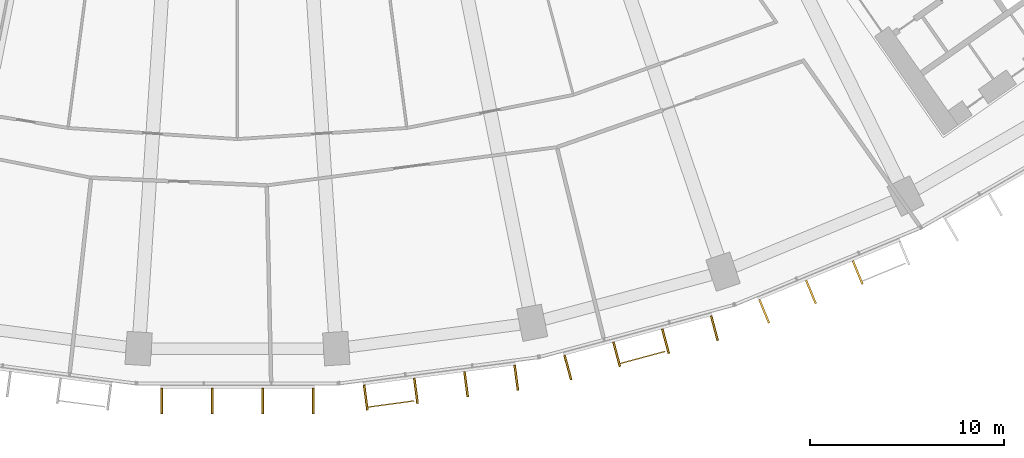
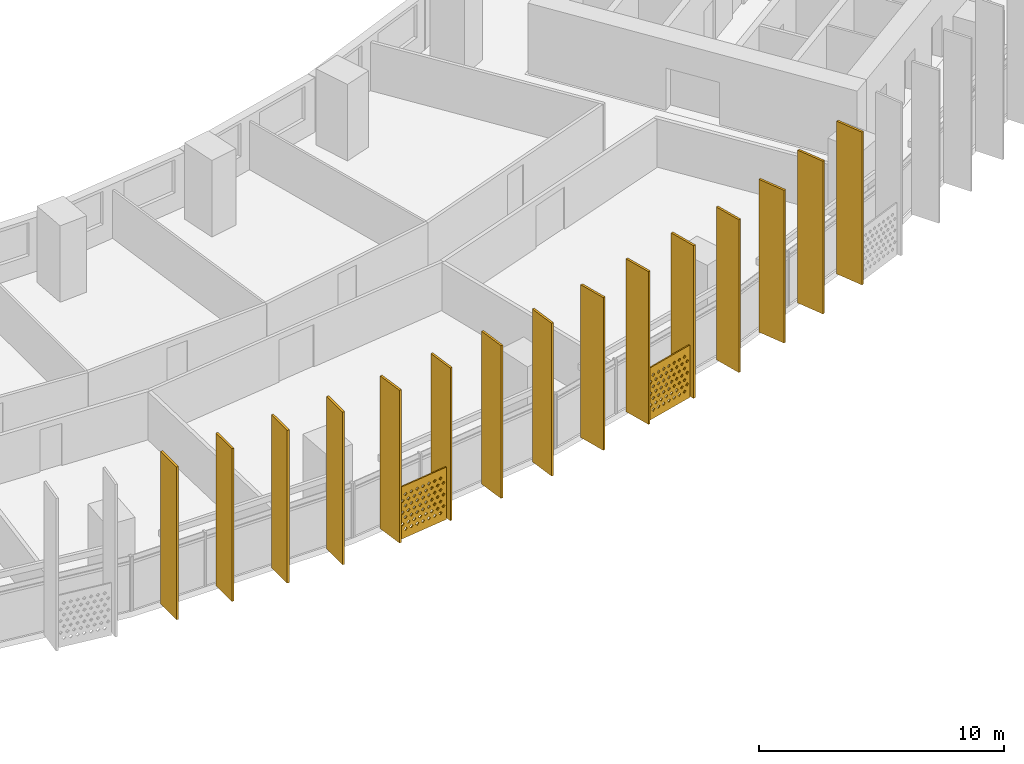
# One storey, part 28 of 31: 17 shading devices.
"""IFC4 building model written with IfcOpenShell, lengths in metres."""

from ifc_helpers import new_model, si_unit, direction, frame, origin, origin_2d, place, context, subcontext, project, spatial, polyline, rectangle, outline, extrude, material, material_profile, profile_set, type_object, element, save


model = new_model("IFC4")

# Units and contexts
model_context = context("Model", 3, precision=1e-05, world=origin(), true_north=direction((0.0, 1.0)))
body_context = subcontext(model_context, "Body", "Model", "MODEL_VIEW")
ifc_project = project(units=[si_unit("LENGTHUNIT", "METRE"), si_unit("AREAUNIT", "SQUARE_METRE"), si_unit("VOLUMEUNIT", "CUBIC_METRE"), si_unit("PLANEANGLEUNIT", "RADIAN"), si_unit("MASSUNIT", "GRAM", prefix="KILO")], contexts=[model_context])

# Site, building, storey
site_placement = place(None, origin())
site = spatial("IfcSite", under=ifc_project, at=site_placement, CompositionType="ELEMENT")
building_placement = place(site_placement, origin())
building = spatial("IfcBuilding", under=site, at=building_placement, Name="Qamariyya Broadcast Tower", CompositionType="ELEMENT")
storey_placement = place(building_placement, frame((0.0, 0.0, 55.699951171875)))
storey = spatial("IfcBuildingStorey", under=building, at=storey_placement, Name="L10", CompositionType="ELEMENT", Elevation=55.699951171875)

# Shading devices
ifc_material_1 = material(Name="Perforated glazed terracotta", Category="masonry")
ifc_material_profile_1 = material_profile(ifc_material_1, outline(polyline([(-1.199951171875, -1.300048828125), (1.199951171875, -1.300048828125), (1.199951171875, 1.300048828125), (-1.199951171875, 1.300048828125), (-1.199951171875, -1.300048828125)]), holes=[polyline([(-0.81494140625, -0.86669921875), (-0.89990234375, -0.78173828125), (-0.985107421875, -0.86669921875), (-0.89990234375, -0.95166015625), (-0.81494140625, -0.86669921875)]), polyline([(-0.514892578125, -0.86669921875), (-0.60009765625, -0.78173828125), (-0.68505859375, -0.86669921875), (-0.60009765625, -0.95166015625), (-0.514892578125, -0.86669921875)]), polyline([(-0.215087890625, -0.86669921875), (-0.300048828125, -0.78173828125), (-0.385009765625, -0.86669921875), (-0.300048828125, -0.95166015625), (-0.215087890625, -0.86669921875)]), polyline([(0.0849609375, -0.86669921875), (0.0, -0.78173828125), (-0.0849609375, -0.86669921875), (0.0, -0.95166015625), (0.0849609375, -0.86669921875)]), polyline([(0.385009765625, -0.86669921875), (0.300048828125, -0.78173828125), (0.215087890625, -0.86669921875), (0.300048828125, -0.95166015625), (0.385009765625, -0.86669921875)]), polyline([(0.68505859375, -0.86669921875), (0.60009765625, -0.78173828125), (0.514892578125, -0.86669921875), (0.60009765625, -0.95166015625), (0.68505859375, -0.86669921875)]), polyline([(0.985107421875, -0.86669921875), (0.89990234375, -0.78173828125), (0.81494140625, -0.86669921875), (0.89990234375, -0.95166015625), (0.985107421875, -0.86669921875)]), polyline([(-0.965087890625, -0.577880859375), (-1.050048828125, -0.49267578125), (-1.135009765625, -0.577880859375), (-1.050048828125, -0.662841796875), (-0.965087890625, -0.577880859375)]), polyline([(-0.6650390625, -0.577880859375), (-0.75, -0.49267578125), (-0.8349609375, -0.577880859375), (-0.75, -0.662841796875), (-0.6650390625, -0.577880859375)]), polyline([(-0.364990234375, -0.577880859375), (-0.449951171875, -0.49267578125), (-0.534912109375, -0.577880859375), (-0.449951171875, -0.662841796875), (-0.364990234375, -0.577880859375)]), polyline([(-0.06494140625, -0.577880859375), (-0.14990234375, -0.49267578125), (-0.235107421875, -0.577880859375), (-0.14990234375, -0.662841796875), (-0.06494140625, -0.577880859375)]), polyline([(0.235107421875, -0.577880859375), (0.14990234375, -0.49267578125), (0.06494140625, -0.577880859375), (0.14990234375, -0.662841796875), (0.235107421875, -0.577880859375)]), polyline([(0.534912109375, -0.577880859375), (0.449951171875, -0.49267578125), (0.364990234375, -0.577880859375), (0.449951171875, -0.662841796875), (0.534912109375, -0.577880859375)]), polyline([(0.8349609375, -0.577880859375), (0.75, -0.49267578125), (0.6650390625, -0.577880859375), (0.75, -0.662841796875), (0.8349609375, -0.577880859375)]), polyline([(1.135009765625, -0.577880859375), (1.050048828125, -0.49267578125), (0.965087890625, -0.577880859375), (1.050048828125, -0.662841796875), (1.135009765625, -0.577880859375)]), polyline([(-0.81494140625, -0.288818359375), (-0.89990234375, -0.203857421875), (-0.985107421875, -0.288818359375), (-0.89990234375, -0.373779296875), (-0.81494140625, -0.288818359375)]), polyline([(-0.514892578125, -0.288818359375), (-0.60009765625, -0.203857421875), (-0.68505859375, -0.288818359375), (-0.60009765625, -0.373779296875), (-0.514892578125, -0.288818359375)]), polyline([(-0.215087890625, -0.288818359375), (-0.300048828125, -0.203857421875), (-0.385009765625, -0.288818359375), (-0.300048828125, -0.373779296875), (-0.215087890625, -0.288818359375)]), polyline([(0.0849609375, -0.288818359375), (0.0, -0.203857421875), (-0.0849609375, -0.288818359375), (0.0, -0.373779296875), (0.0849609375, -0.288818359375)]), polyline([(0.385009765625, -0.288818359375), (0.300048828125, -0.203857421875), (0.215087890625, -0.288818359375), (0.300048828125, -0.373779296875), (0.385009765625, -0.288818359375)]), polyline([(0.68505859375, -0.288818359375), (0.60009765625, -0.203857421875), (0.514892578125, -0.288818359375), (0.60009765625, -0.373779296875), (0.68505859375, -0.288818359375)]), polyline([(0.985107421875, -0.288818359375), (0.89990234375, -0.203857421875), (0.81494140625, -0.288818359375), (0.89990234375, -0.373779296875), (0.985107421875, -0.288818359375)]), polyline([(-0.965087890625, 0.0), (-1.050048828125, 0.0849609375), (-1.135009765625, 0.0), (-1.050048828125, -0.0849609375), (-0.965087890625, 0.0)]), polyline([(-0.6650390625, 0.0), (-0.75, 0.0849609375), (-0.8349609375, 0.0), (-0.75, -0.0849609375), (-0.6650390625, 0.0)]), polyline([(-0.364990234375, 0.0), (-0.449951171875, 0.0849609375), (-0.534912109375, 0.0), (-0.449951171875, -0.0849609375), (-0.364990234375, 0.0)]), polyline([(-0.06494140625, 0.0), (-0.14990234375, 0.0849609375), (-0.235107421875, 0.0), (-0.14990234375, -0.0849609375), (-0.06494140625, 0.0)]), polyline([(0.235107421875, 0.0), (0.14990234375, 0.0849609375), (0.06494140625, 0.0), (0.14990234375, -0.0849609375), (0.235107421875, 0.0)]), polyline([(0.534912109375, 0.0), (0.449951171875, 0.0849609375), (0.364990234375, 0.0), (0.449951171875, -0.0849609375), (0.534912109375, 0.0)]), polyline([(0.8349609375, 0.0), (0.75, 0.0849609375), (0.6650390625, 0.0), (0.75, -0.0849609375), (0.8349609375, 0.0)]), polyline([(1.135009765625, 0.0), (1.050048828125, 0.0849609375), (0.965087890625, 0.0), (1.050048828125, -0.0849609375), (1.135009765625, 0.0)]), polyline([(-0.81494140625, 0.288818359375), (-0.89990234375, 0.373779296875), (-0.985107421875, 0.288818359375), (-0.89990234375, 0.203857421875), (-0.81494140625, 0.288818359375)]), polyline([(-0.514892578125, 0.288818359375), (-0.60009765625, 0.373779296875), (-0.68505859375, 0.288818359375), (-0.60009765625, 0.203857421875), (-0.514892578125, 0.288818359375)]), polyline([(-0.215087890625, 0.288818359375), (-0.300048828125, 0.373779296875), (-0.385009765625, 0.288818359375), (-0.300048828125, 0.203857421875), (-0.215087890625, 0.288818359375)]), polyline([(0.0849609375, 0.288818359375), (0.0, 0.373779296875), (-0.0849609375, 0.288818359375), (0.0, 0.203857421875), (0.0849609375, 0.288818359375)]), polyline([(0.385009765625, 0.288818359375), (0.300048828125, 0.373779296875), (0.215087890625, 0.288818359375), (0.300048828125, 0.203857421875), (0.385009765625, 0.288818359375)]), polyline([(0.68505859375, 0.288818359375), (0.60009765625, 0.373779296875), (0.514892578125, 0.288818359375), (0.60009765625, 0.203857421875), (0.68505859375, 0.288818359375)]), polyline([(0.985107421875, 0.288818359375), (0.89990234375, 0.373779296875), (0.81494140625, 0.288818359375), (0.89990234375, 0.203857421875), (0.985107421875, 0.288818359375)]), polyline([(-0.965087890625, 0.577880859375), (-1.050048828125, 0.662841796875), (-1.135009765625, 0.577880859375), (-1.050048828125, 0.49267578125), (-0.965087890625, 0.577880859375)]), polyline([(-0.6650390625, 0.577880859375), (-0.75, 0.662841796875), (-0.8349609375, 0.577880859375), (-0.75, 0.49267578125), (-0.6650390625, 0.577880859375)]), polyline([(-0.364990234375, 0.577880859375), (-0.449951171875, 0.662841796875), (-0.534912109375, 0.577880859375), (-0.449951171875, 0.49267578125), (-0.364990234375, 0.577880859375)]), polyline([(-0.06494140625, 0.577880859375), (-0.14990234375, 0.662841796875), (-0.235107421875, 0.577880859375), (-0.14990234375, 0.49267578125), (-0.06494140625, 0.577880859375)]), polyline([(0.235107421875, 0.577880859375), (0.14990234375, 0.662841796875), (0.06494140625, 0.577880859375), (0.14990234375, 0.49267578125), (0.235107421875, 0.577880859375)]), polyline([(0.534912109375, 0.577880859375), (0.449951171875, 0.662841796875), (0.364990234375, 0.577880859375), (0.449951171875, 0.49267578125), (0.534912109375, 0.577880859375)]), polyline([(0.8349609375, 0.577880859375), (0.75, 0.662841796875), (0.6650390625, 0.577880859375), (0.75, 0.49267578125), (0.8349609375, 0.577880859375)]), polyline([(1.135009765625, 0.577880859375), (1.050048828125, 0.662841796875), (0.965087890625, 0.577880859375), (1.050048828125, 0.49267578125), (1.135009765625, 0.577880859375)]), polyline([(-0.81494140625, 0.86669921875), (-0.89990234375, 0.95166015625), (-0.985107421875, 0.86669921875), (-0.89990234375, 0.78173828125), (-0.81494140625, 0.86669921875)]), polyline([(-0.514892578125, 0.86669921875), (-0.60009765625, 0.95166015625), (-0.68505859375, 0.86669921875), (-0.60009765625, 0.78173828125), (-0.514892578125, 0.86669921875)]), polyline([(-0.215087890625, 0.86669921875), (-0.300048828125, 0.95166015625), (-0.385009765625, 0.86669921875), (-0.300048828125, 0.78173828125), (-0.215087890625, 0.86669921875)]), polyline([(0.0849609375, 0.86669921875), (0.0, 0.95166015625), (-0.0849609375, 0.86669921875), (0.0, 0.78173828125), (0.0849609375, 0.86669921875)]), polyline([(0.385009765625, 0.86669921875), (0.300048828125, 0.95166015625), (0.215087890625, 0.86669921875), (0.300048828125, 0.78173828125), (0.385009765625, 0.86669921875)]), polyline([(0.68505859375, 0.86669921875), (0.60009765625, 0.95166015625), (0.514892578125, 0.86669921875), (0.60009765625, 0.78173828125), (0.68505859375, 0.86669921875)]), polyline([(0.985107421875, 0.86669921875), (0.89990234375, 0.95166015625), (0.81494140625, 0.86669921875), (0.89990234375, 0.78173828125), (0.985107421875, 0.86669921875)])]))
ifc_profile_set_1 = profile_set([ifc_material_profile_1], Name="Perforated glazed terracotta")
shading_device_type_1 = type_object("IfcShadingDeviceType", Name="Perforated terracotta screen 2400 x 2600", PredefinedType="USERDEFINED", material=ifc_profile_set_1)
shading_device_1_placement = place(storey_placement, frame((7.905517578125, -80.405517578125, 1.35009765625), z_axis=(0.13456727237, -0.990904460181, 0.0), x_axis=(0.990904460181, 0.13456727237, 0.0)))
element("IfcShadingDevice", 1, at=shading_device_1_placement, inside=storey, type_object=shading_device_type_1, Name="e-scr-L10-09-0", ObjectType="SCREEN", PredefinedType="USERDEFINED", context=body_context, shape_type="SweptSolid", body=[
    extrude(outline(polyline([(-1.199951171875, -1.300048828125), (1.199951171875, -1.300048828125), (1.199951171875, 1.300048828125), (-1.199951171875, 1.300048828125), (-1.199951171875, -1.300048828125)]), holes=[polyline([(-0.81494140625, -0.86669921875), (-0.89990234375, -0.78173828125), (-0.985107421875, -0.86669921875), (-0.89990234375, -0.95166015625), (-0.81494140625, -0.86669921875)]), polyline([(-0.514892578125, -0.86669921875), (-0.60009765625, -0.78173828125), (-0.68505859375, -0.86669921875), (-0.60009765625, -0.95166015625), (-0.514892578125, -0.86669921875)]), polyline([(-0.215087890625, -0.86669921875), (-0.300048828125, -0.78173828125), (-0.385009765625, -0.86669921875), (-0.300048828125, -0.95166015625), (-0.215087890625, -0.86669921875)]), polyline([(0.0849609375, -0.86669921875), (0.0, -0.78173828125), (-0.0849609375, -0.86669921875), (0.0, -0.95166015625), (0.0849609375, -0.86669921875)]), polyline([(0.385009765625, -0.86669921875), (0.300048828125, -0.78173828125), (0.215087890625, -0.86669921875), (0.300048828125, -0.95166015625), (0.385009765625, -0.86669921875)]), polyline([(0.68505859375, -0.86669921875), (0.60009765625, -0.78173828125), (0.514892578125, -0.86669921875), (0.60009765625, -0.95166015625), (0.68505859375, -0.86669921875)]), polyline([(0.985107421875, -0.86669921875), (0.89990234375, -0.78173828125), (0.81494140625, -0.86669921875), (0.89990234375, -0.95166015625), (0.985107421875, -0.86669921875)]), polyline([(-0.965087890625, -0.577880859375), (-1.050048828125, -0.49267578125), (-1.135009765625, -0.577880859375), (-1.050048828125, -0.662841796875), (-0.965087890625, -0.577880859375)]), polyline([(-0.6650390625, -0.577880859375), (-0.75, -0.49267578125), (-0.8349609375, -0.577880859375), (-0.75, -0.662841796875), (-0.6650390625, -0.577880859375)]), polyline([(-0.364990234375, -0.577880859375), (-0.449951171875, -0.49267578125), (-0.534912109375, -0.577880859375), (-0.449951171875, -0.662841796875), (-0.364990234375, -0.577880859375)]), polyline([(-0.06494140625, -0.577880859375), (-0.14990234375, -0.49267578125), (-0.235107421875, -0.577880859375), (-0.14990234375, -0.662841796875), (-0.06494140625, -0.577880859375)]), polyline([(0.235107421875, -0.577880859375), (0.14990234375, -0.49267578125), (0.06494140625, -0.577880859375), (0.14990234375, -0.662841796875), (0.235107421875, -0.577880859375)]), polyline([(0.534912109375, -0.577880859375), (0.449951171875, -0.49267578125), (0.364990234375, -0.577880859375), (0.449951171875, -0.662841796875), (0.534912109375, -0.577880859375)]), polyline([(0.8349609375, -0.577880859375), (0.75, -0.49267578125), (0.6650390625, -0.577880859375), (0.75, -0.662841796875), (0.8349609375, -0.577880859375)]), polyline([(1.135009765625, -0.577880859375), (1.050048828125, -0.49267578125), (0.965087890625, -0.577880859375), (1.050048828125, -0.662841796875), (1.135009765625, -0.577880859375)]), polyline([(-0.81494140625, -0.288818359375), (-0.89990234375, -0.203857421875), (-0.985107421875, -0.288818359375), (-0.89990234375, -0.373779296875), (-0.81494140625, -0.288818359375)]), polyline([(-0.514892578125, -0.288818359375), (-0.60009765625, -0.203857421875), (-0.68505859375, -0.288818359375), (-0.60009765625, -0.373779296875), (-0.514892578125, -0.288818359375)]), polyline([(-0.215087890625, -0.288818359375), (-0.300048828125, -0.203857421875), (-0.385009765625, -0.288818359375), (-0.300048828125, -0.373779296875), (-0.215087890625, -0.288818359375)]), polyline([(0.0849609375, -0.288818359375), (0.0, -0.203857421875), (-0.0849609375, -0.288818359375), (0.0, -0.373779296875), (0.0849609375, -0.288818359375)]), polyline([(0.385009765625, -0.288818359375), (0.300048828125, -0.203857421875), (0.215087890625, -0.288818359375), (0.300048828125, -0.373779296875), (0.385009765625, -0.288818359375)]), polyline([(0.68505859375, -0.288818359375), (0.60009765625, -0.203857421875), (0.514892578125, -0.288818359375), (0.60009765625, -0.373779296875), (0.68505859375, -0.288818359375)]), polyline([(0.985107421875, -0.288818359375), (0.89990234375, -0.203857421875), (0.81494140625, -0.288818359375), (0.89990234375, -0.373779296875), (0.985107421875, -0.288818359375)]), polyline([(-0.965087890625, 0.0), (-1.050048828125, 0.0849609375), (-1.135009765625, 0.0), (-1.050048828125, -0.0849609375), (-0.965087890625, 0.0)]), polyline([(-0.6650390625, 0.0), (-0.75, 0.0849609375), (-0.8349609375, 0.0), (-0.75, -0.0849609375), (-0.6650390625, 0.0)]), polyline([(-0.364990234375, 0.0), (-0.449951171875, 0.0849609375), (-0.534912109375, 0.0), (-0.449951171875, -0.0849609375), (-0.364990234375, 0.0)]), polyline([(-0.06494140625, 0.0), (-0.14990234375, 0.0849609375), (-0.235107421875, 0.0), (-0.14990234375, -0.0849609375), (-0.06494140625, 0.0)]), polyline([(0.235107421875, 0.0), (0.14990234375, 0.0849609375), (0.06494140625, 0.0), (0.14990234375, -0.0849609375), (0.235107421875, 0.0)]), polyline([(0.534912109375, 0.0), (0.449951171875, 0.0849609375), (0.364990234375, 0.0), (0.449951171875, -0.0849609375), (0.534912109375, 0.0)]), polyline([(0.8349609375, 0.0), (0.75, 0.0849609375), (0.6650390625, 0.0), (0.75, -0.0849609375), (0.8349609375, 0.0)]), polyline([(1.135009765625, 0.0), (1.050048828125, 0.0849609375), (0.965087890625, 0.0), (1.050048828125, -0.0849609375), (1.135009765625, 0.0)]), polyline([(-0.81494140625, 0.288818359375), (-0.89990234375, 0.373779296875), (-0.985107421875, 0.288818359375), (-0.89990234375, 0.203857421875), (-0.81494140625, 0.288818359375)]), polyline([(-0.514892578125, 0.288818359375), (-0.60009765625, 0.373779296875), (-0.68505859375, 0.288818359375), (-0.60009765625, 0.203857421875), (-0.514892578125, 0.288818359375)]), polyline([(-0.215087890625, 0.288818359375), (-0.300048828125, 0.373779296875), (-0.385009765625, 0.288818359375), (-0.300048828125, 0.203857421875), (-0.215087890625, 0.288818359375)]), polyline([(0.0849609375, 0.288818359375), (0.0, 0.373779296875), (-0.0849609375, 0.288818359375), (0.0, 0.203857421875), (0.0849609375, 0.288818359375)]), polyline([(0.385009765625, 0.288818359375), (0.300048828125, 0.373779296875), (0.215087890625, 0.288818359375), (0.300048828125, 0.203857421875), (0.385009765625, 0.288818359375)]), polyline([(0.68505859375, 0.288818359375), (0.60009765625, 0.373779296875), (0.514892578125, 0.288818359375), (0.60009765625, 0.203857421875), (0.68505859375, 0.288818359375)]), polyline([(0.985107421875, 0.288818359375), (0.89990234375, 0.373779296875), (0.81494140625, 0.288818359375), (0.89990234375, 0.203857421875), (0.985107421875, 0.288818359375)]), polyline([(-0.965087890625, 0.577880859375), (-1.050048828125, 0.662841796875), (-1.135009765625, 0.577880859375), (-1.050048828125, 0.49267578125), (-0.965087890625, 0.577880859375)]), polyline([(-0.6650390625, 0.577880859375), (-0.75, 0.662841796875), (-0.8349609375, 0.577880859375), (-0.75, 0.49267578125), (-0.6650390625, 0.577880859375)]), polyline([(-0.364990234375, 0.577880859375), (-0.449951171875, 0.662841796875), (-0.534912109375, 0.577880859375), (-0.449951171875, 0.49267578125), (-0.364990234375, 0.577880859375)]), polyline([(-0.06494140625, 0.577880859375), (-0.14990234375, 0.662841796875), (-0.235107421875, 0.577880859375), (-0.14990234375, 0.49267578125), (-0.06494140625, 0.577880859375)]), polyline([(0.235107421875, 0.577880859375), (0.14990234375, 0.662841796875), (0.06494140625, 0.577880859375), (0.14990234375, 0.49267578125), (0.235107421875, 0.577880859375)]), polyline([(0.534912109375, 0.577880859375), (0.449951171875, 0.662841796875), (0.364990234375, 0.577880859375), (0.449951171875, 0.49267578125), (0.534912109375, 0.577880859375)]), polyline([(0.8349609375, 0.577880859375), (0.75, 0.662841796875), (0.6650390625, 0.577880859375), (0.75, 0.49267578125), (0.8349609375, 0.577880859375)]), polyline([(1.135009765625, 0.577880859375), (1.050048828125, 0.662841796875), (0.965087890625, 0.577880859375), (1.050048828125, 0.49267578125), (1.135009765625, 0.577880859375)]), polyline([(-0.81494140625, 0.86669921875), (-0.89990234375, 0.95166015625), (-0.985107421875, 0.86669921875), (-0.89990234375, 0.78173828125), (-0.81494140625, 0.86669921875)]), polyline([(-0.514892578125, 0.86669921875), (-0.60009765625, 0.95166015625), (-0.68505859375, 0.86669921875), (-0.60009765625, 0.78173828125), (-0.514892578125, 0.86669921875)]), polyline([(-0.215087890625, 0.86669921875), (-0.300048828125, 0.95166015625), (-0.385009765625, 0.86669921875), (-0.300048828125, 0.78173828125), (-0.215087890625, 0.86669921875)]), polyline([(0.0849609375, 0.86669921875), (0.0, 0.95166015625), (-0.0849609375, 0.86669921875), (0.0, 0.78173828125), (0.0849609375, 0.86669921875)]), polyline([(0.385009765625, 0.86669921875), (0.300048828125, 0.95166015625), (0.215087890625, 0.86669921875), (0.300048828125, 0.78173828125), (0.385009765625, 0.86669921875)]), polyline([(0.68505859375, 0.86669921875), (0.60009765625, 0.95166015625), (0.514892578125, 0.86669921875), (0.60009765625, 0.78173828125), (0.68505859375, 0.86669921875)]), polyline([(0.985107421875, 0.86669921875), (0.89990234375, 0.95166015625), (0.81494140625, 0.86669921875), (0.89990234375, 0.78173828125), (0.985107421875, 0.86669921875)])]), origin(), (0.0, 0.0, 1.0), 0.059814453125),
])
shading_device_2_placement = place(storey_placement, frame((20.848876953125, -78.011474609375, 1.35009765625), z_axis=(0.259682438219, -0.965694067125, 0.0), x_axis=(0.965694067125, 0.259682438219, 0.0)))
element("IfcShadingDevice", 2, at=shading_device_2_placement, inside=storey, type_object=shading_device_type_1, Name="e-scr-L10-10-1", ObjectType="SCREEN", PredefinedType="USERDEFINED", context=body_context, shape_type="SweptSolid", body=[
    extrude(outline(polyline([(-1.199951171875, -1.300048828125), (1.199951171875, -1.300048828125), (1.199951171875, 1.300048828125), (-1.199951171875, 1.300048828125), (-1.199951171875, -1.300048828125)]), holes=[polyline([(-0.81494140625, -0.86669921875), (-0.89990234375, -0.78173828125), (-0.985107421875, -0.86669921875), (-0.89990234375, -0.95166015625), (-0.81494140625, -0.86669921875)]), polyline([(-0.514892578125, -0.86669921875), (-0.60009765625, -0.78173828125), (-0.68505859375, -0.86669921875), (-0.60009765625, -0.95166015625), (-0.514892578125, -0.86669921875)]), polyline([(-0.215087890625, -0.86669921875), (-0.300048828125, -0.78173828125), (-0.385009765625, -0.86669921875), (-0.300048828125, -0.95166015625), (-0.215087890625, -0.86669921875)]), polyline([(0.0849609375, -0.86669921875), (0.0, -0.78173828125), (-0.0849609375, -0.86669921875), (0.0, -0.95166015625), (0.0849609375, -0.86669921875)]), polyline([(0.385009765625, -0.86669921875), (0.300048828125, -0.78173828125), (0.215087890625, -0.86669921875), (0.300048828125, -0.95166015625), (0.385009765625, -0.86669921875)]), polyline([(0.68505859375, -0.86669921875), (0.60009765625, -0.78173828125), (0.514892578125, -0.86669921875), (0.60009765625, -0.95166015625), (0.68505859375, -0.86669921875)]), polyline([(0.985107421875, -0.86669921875), (0.89990234375, -0.78173828125), (0.81494140625, -0.86669921875), (0.89990234375, -0.95166015625), (0.985107421875, -0.86669921875)]), polyline([(-0.965087890625, -0.577880859375), (-1.050048828125, -0.49267578125), (-1.135009765625, -0.577880859375), (-1.050048828125, -0.662841796875), (-0.965087890625, -0.577880859375)]), polyline([(-0.6650390625, -0.577880859375), (-0.75, -0.49267578125), (-0.8349609375, -0.577880859375), (-0.75, -0.662841796875), (-0.6650390625, -0.577880859375)]), polyline([(-0.364990234375, -0.577880859375), (-0.449951171875, -0.49267578125), (-0.534912109375, -0.577880859375), (-0.449951171875, -0.662841796875), (-0.364990234375, -0.577880859375)]), polyline([(-0.06494140625, -0.577880859375), (-0.14990234375, -0.49267578125), (-0.235107421875, -0.577880859375), (-0.14990234375, -0.662841796875), (-0.06494140625, -0.577880859375)]), polyline([(0.235107421875, -0.577880859375), (0.14990234375, -0.49267578125), (0.06494140625, -0.577880859375), (0.14990234375, -0.662841796875), (0.235107421875, -0.577880859375)]), polyline([(0.534912109375, -0.577880859375), (0.449951171875, -0.49267578125), (0.364990234375, -0.577880859375), (0.449951171875, -0.662841796875), (0.534912109375, -0.577880859375)]), polyline([(0.8349609375, -0.577880859375), (0.75, -0.49267578125), (0.6650390625, -0.577880859375), (0.75, -0.662841796875), (0.8349609375, -0.577880859375)]), polyline([(1.135009765625, -0.577880859375), (1.050048828125, -0.49267578125), (0.965087890625, -0.577880859375), (1.050048828125, -0.662841796875), (1.135009765625, -0.577880859375)]), polyline([(-0.81494140625, -0.288818359375), (-0.89990234375, -0.203857421875), (-0.985107421875, -0.288818359375), (-0.89990234375, -0.373779296875), (-0.81494140625, -0.288818359375)]), polyline([(-0.514892578125, -0.288818359375), (-0.60009765625, -0.203857421875), (-0.68505859375, -0.288818359375), (-0.60009765625, -0.373779296875), (-0.514892578125, -0.288818359375)]), polyline([(-0.215087890625, -0.288818359375), (-0.300048828125, -0.203857421875), (-0.385009765625, -0.288818359375), (-0.300048828125, -0.373779296875), (-0.215087890625, -0.288818359375)]), polyline([(0.0849609375, -0.288818359375), (0.0, -0.203857421875), (-0.0849609375, -0.288818359375), (0.0, -0.373779296875), (0.0849609375, -0.288818359375)]), polyline([(0.385009765625, -0.288818359375), (0.300048828125, -0.203857421875), (0.215087890625, -0.288818359375), (0.300048828125, -0.373779296875), (0.385009765625, -0.288818359375)]), polyline([(0.68505859375, -0.288818359375), (0.60009765625, -0.203857421875), (0.514892578125, -0.288818359375), (0.60009765625, -0.373779296875), (0.68505859375, -0.288818359375)]), polyline([(0.985107421875, -0.288818359375), (0.89990234375, -0.203857421875), (0.81494140625, -0.288818359375), (0.89990234375, -0.373779296875), (0.985107421875, -0.288818359375)]), polyline([(-0.965087890625, 0.0), (-1.050048828125, 0.0849609375), (-1.135009765625, 0.0), (-1.050048828125, -0.0849609375), (-0.965087890625, 0.0)]), polyline([(-0.6650390625, 0.0), (-0.75, 0.0849609375), (-0.8349609375, 0.0), (-0.75, -0.0849609375), (-0.6650390625, 0.0)]), polyline([(-0.364990234375, 0.0), (-0.449951171875, 0.0849609375), (-0.534912109375, 0.0), (-0.449951171875, -0.0849609375), (-0.364990234375, 0.0)]), polyline([(-0.06494140625, 0.0), (-0.14990234375, 0.0849609375), (-0.235107421875, 0.0), (-0.14990234375, -0.0849609375), (-0.06494140625, 0.0)]), polyline([(0.235107421875, 0.0), (0.14990234375, 0.0849609375), (0.06494140625, 0.0), (0.14990234375, -0.0849609375), (0.235107421875, 0.0)]), polyline([(0.534912109375, 0.0), (0.449951171875, 0.0849609375), (0.364990234375, 0.0), (0.449951171875, -0.0849609375), (0.534912109375, 0.0)]), polyline([(0.8349609375, 0.0), (0.75, 0.0849609375), (0.6650390625, 0.0), (0.75, -0.0849609375), (0.8349609375, 0.0)]), polyline([(1.135009765625, 0.0), (1.050048828125, 0.0849609375), (0.965087890625, 0.0), (1.050048828125, -0.0849609375), (1.135009765625, 0.0)]), polyline([(-0.81494140625, 0.288818359375), (-0.89990234375, 0.373779296875), (-0.985107421875, 0.288818359375), (-0.89990234375, 0.203857421875), (-0.81494140625, 0.288818359375)]), polyline([(-0.514892578125, 0.288818359375), (-0.60009765625, 0.373779296875), (-0.68505859375, 0.288818359375), (-0.60009765625, 0.203857421875), (-0.514892578125, 0.288818359375)]), polyline([(-0.215087890625, 0.288818359375), (-0.300048828125, 0.373779296875), (-0.385009765625, 0.288818359375), (-0.300048828125, 0.203857421875), (-0.215087890625, 0.288818359375)]), polyline([(0.0849609375, 0.288818359375), (0.0, 0.373779296875), (-0.0849609375, 0.288818359375), (0.0, 0.203857421875), (0.0849609375, 0.288818359375)]), polyline([(0.385009765625, 0.288818359375), (0.300048828125, 0.373779296875), (0.215087890625, 0.288818359375), (0.300048828125, 0.203857421875), (0.385009765625, 0.288818359375)]), polyline([(0.68505859375, 0.288818359375), (0.60009765625, 0.373779296875), (0.514892578125, 0.288818359375), (0.60009765625, 0.203857421875), (0.68505859375, 0.288818359375)]), polyline([(0.985107421875, 0.288818359375), (0.89990234375, 0.373779296875), (0.81494140625, 0.288818359375), (0.89990234375, 0.203857421875), (0.985107421875, 0.288818359375)]), polyline([(-0.965087890625, 0.577880859375), (-1.050048828125, 0.662841796875), (-1.135009765625, 0.577880859375), (-1.050048828125, 0.49267578125), (-0.965087890625, 0.577880859375)]), polyline([(-0.6650390625, 0.577880859375), (-0.75, 0.662841796875), (-0.8349609375, 0.577880859375), (-0.75, 0.49267578125), (-0.6650390625, 0.577880859375)]), polyline([(-0.364990234375, 0.577880859375), (-0.449951171875, 0.662841796875), (-0.534912109375, 0.577880859375), (-0.449951171875, 0.49267578125), (-0.364990234375, 0.577880859375)]), polyline([(-0.06494140625, 0.577880859375), (-0.14990234375, 0.662841796875), (-0.235107421875, 0.577880859375), (-0.14990234375, 0.49267578125), (-0.06494140625, 0.577880859375)]), polyline([(0.235107421875, 0.577880859375), (0.14990234375, 0.662841796875), (0.06494140625, 0.577880859375), (0.14990234375, 0.49267578125), (0.235107421875, 0.577880859375)]), polyline([(0.534912109375, 0.577880859375), (0.449951171875, 0.662841796875), (0.364990234375, 0.577880859375), (0.449951171875, 0.49267578125), (0.534912109375, 0.577880859375)]), polyline([(0.8349609375, 0.577880859375), (0.75, 0.662841796875), (0.6650390625, 0.577880859375), (0.75, 0.49267578125), (0.8349609375, 0.577880859375)]), polyline([(1.135009765625, 0.577880859375), (1.050048828125, 0.662841796875), (0.965087890625, 0.577880859375), (1.050048828125, 0.49267578125), (1.135009765625, 0.577880859375)]), polyline([(-0.81494140625, 0.86669921875), (-0.89990234375, 0.95166015625), (-0.985107421875, 0.86669921875), (-0.89990234375, 0.78173828125), (-0.81494140625, 0.86669921875)]), polyline([(-0.514892578125, 0.86669921875), (-0.60009765625, 0.95166015625), (-0.68505859375, 0.86669921875), (-0.60009765625, 0.78173828125), (-0.514892578125, 0.86669921875)]), polyline([(-0.215087890625, 0.86669921875), (-0.300048828125, 0.95166015625), (-0.385009765625, 0.86669921875), (-0.300048828125, 0.78173828125), (-0.215087890625, 0.86669921875)]), polyline([(0.0849609375, 0.86669921875), (0.0, 0.95166015625), (-0.0849609375, 0.86669921875), (0.0, 0.78173828125), (0.0849609375, 0.86669921875)]), polyline([(0.385009765625, 0.86669921875), (0.300048828125, 0.95166015625), (0.215087890625, 0.86669921875), (0.300048828125, 0.78173828125), (0.385009765625, 0.86669921875)]), polyline([(0.68505859375, 0.86669921875), (0.60009765625, 0.95166015625), (0.514892578125, 0.86669921875), (0.60009765625, 0.78173828125), (0.68505859375, 0.86669921875)]), polyline([(0.985107421875, 0.86669921875), (0.89990234375, 0.95166015625), (0.81494140625, 0.86669921875), (0.89990234375, 0.78173828125), (0.985107421875, 0.86669921875)])]), origin(), (0.0, 0.0, 1.0), 0.06005859375),
])
ifc_material_2 = material(Name="Glazed terracotta", Category="masonry")
ifc_material_profile_2 = material_profile(ifc_material_2, rectangle(XDim=1.300048828125, YDim=0.10009765625, at=origin_2d()))
ifc_profile_set_2 = profile_set([ifc_material_profile_2], Name="Glazed terracotta")
shading_device_type_2 = type_object("IfcShadingDeviceType", Name="Terracotta fin 100 x 1300", PredefinedType="USERDEFINED", material=ifc_profile_set_2)
for number, where, z_axis, x_axis, name in (
    (3, (-3.906982421875, -80.279541015625, 0.0), (0.0, 0.0, 1.0), (0.0, -1.0, 0.0), "e-fin-L10-08-0"),
    (4, (-1.30224609375, -80.279541015625, 0.0), (0.0, 0.0, 1.0), (0.0, -1.0, 0.0), "e-fin-L10-08-1"),
    (5, (1.30224609375, -80.279541015625, 0.0), (0.0, 0.0, 1.0), (0.0, -1.0, 0.0), "e-fin-L10-08-2"),
    (6, (3.906982421875, -80.279541015625, 0.0), (0.0, 0.0, 1.0), (0.0, -1.0, 0.0), "e-fin-L10-08-3"),
    (7, (6.60498046875, -80.1025390625, 0.0), (0.0, 0.0, 1.0), (0.13052619222, -0.991444861374, 0.0), "e-fin-L10-09-0"),
    (8, (9.187255859375, -79.7626953125, 0.0), (0.0, 0.0, 1.0), (0.13052619222, -0.991444861374, 0.0), "e-fin-L10-09-1"),
    (9, (11.769775390625, -79.422607421875, 0.0), (0.0, 0.0, 1.0), (0.13052619222, -0.991444861374, 0.0), "e-fin-L10-09-2"),
    (10, (14.35205078125, -79.082763671875, 0.0), (0.0, 0.0, 1.0), (0.13052619222, -0.991444861374, 0.0), "e-fin-L10-09-3"),
    (11, (17.00390625, -78.55517578125, 0.0), (0.0, 0.0, 1.0), (0.258819045103, -0.965925826289, 0.0), "e-fin-L10-10-0"),
    (12, (19.519775390625, -77.881103515625, 0.0), (0.0, 0.0, 1.0), (0.258819045103, -0.965925826289, 0.0), "e-fin-L10-10-1"),
    (13, (22.035888671875, -77.20703125, 0.0), (0.0, 0.0, 1.0), (0.258819045103, -0.965925826289, 0.0), "e-fin-L10-10-2"),
    (14, (24.5517578125, -76.53271484375, 0.0), (0.0, 0.0, 1.0), (0.258819045103, -0.965925826289, 0.0), "e-fin-L10-10-3"),
    (15, (27.112060546875, -75.663818359375, 0.0), (0.0, 0.0, 1.0), (0.382683432365, -0.923879532511, 0.0), "e-fin-L10-11-0"),
    (16, (29.518310546875, -74.6669921875, 0.0), (0.0, 0.0, 1.0), (0.382683432365, -0.923879532511, 0.0), "e-fin-L10-11-1"),
    (17, (31.9248046875, -73.670166015625, 0.0), (0.0, 0.0, 1.0), (0.382683432365, -0.923879532511, 0.0), "e-fin-L10-11-2"),
):
    element("IfcShadingDevice", number, at=place(storey_placement, frame(where, z_axis=z_axis, x_axis=x_axis)), inside=storey, type_object=shading_device_type_2, Name=name, ObjectType="FIN", PredefinedType="USERDEFINED", context=body_context, shape_type="SweptSolid", body=[
        extrude(rectangle(XDim=1.300048828125, YDim=0.10009765625, at=origin_2d()), origin(), (0.0, 0.0, 1.0), 7.60009765625),
    ])

save(model, "model.ifc")
